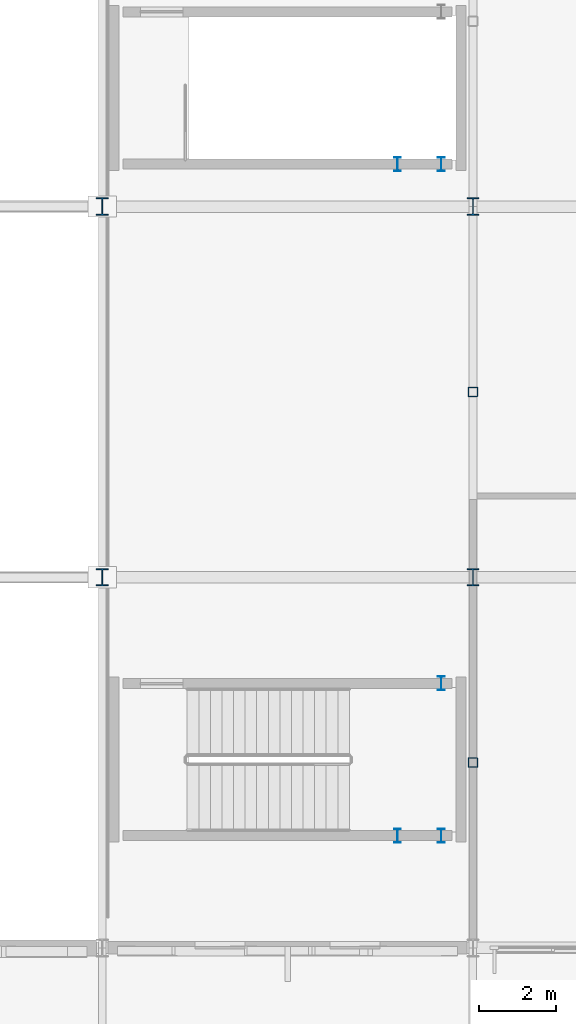
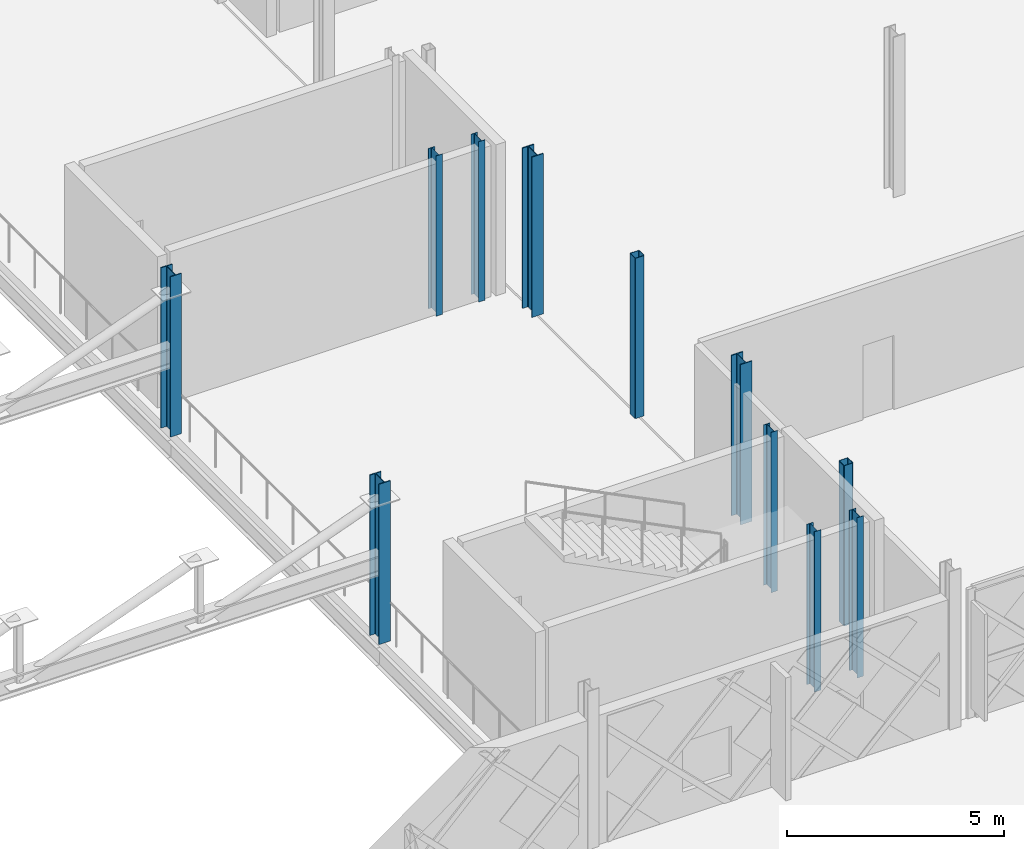
# One storey, part 2 of 101: 11 columns.
"""IFC4 building model written with IfcOpenShell, lengths in metres."""

import ifcopenshell
import ifcopenshell.guid

model = None  # the IFC model being written
_history = None  # IfcOwnerHistory: only IFC2X3 demands one
_inside = {}  # id of a spatial element -> (the spatial element, [elements in it])
_under = {}  # id of a project, library or spatial element -> (it, [spatial elements below it])
_declared = {}  # id of a project -> (the project, [libraries it declares])
_typed = {}  # id of a type object -> (the type object, [elements of that type])
_made_of = {}  # id of a material, layer set ... -> (it, [elements and type objects made of it])


def new_model(schema):
    """Start an empty IFC model of exactly this schema.

    Asked for "IFC4X3", IfcOpenShell would pick the latest addendum, in which some entities
    have other attributes; the version numbers below select the first issue.
    IFC2X3 requires an IfcOwnerHistory on every rooted entity: one is made here for all.
    """
    global model, _history
    if schema == "IFC4X3":
        model = ifcopenshell.file(schema_version=(4, 3, 0, 0))
    else:
        model = ifcopenshell.file(schema=schema)
    _inside.clear()
    _under.clear()
    _declared.clear()
    _typed.clear()
    _made_of.clear()
    _history = None
    if model.schema == "IFC2X3":
        org = make("IfcOrganization", Name="unknown")
        user = make(
            "IfcPersonAndOrganization",
            ThePerson=make("IfcPerson", FamilyName="unknown"),
            TheOrganization=org,
        )
        app = make(
            "IfcApplication",
            ApplicationDeveloper=org,
            Version="unknown",
            ApplicationFullName="unknown",
            ApplicationIdentifier="unknown",
        )
        _history = make(
            "IfcOwnerHistory",
            OwningUser=user,
            OwningApplication=app,
            ChangeAction="ADDED",
            CreationDate=0,
        )
    return model


def make(cls, **values):
    """One entity of the class cls with the attributes given. An attribute that is None is left unset."""
    return model.create_entity(
        cls, **{name: value for name, value in values.items() if value is not None}
    )


def rooted(cls, **values):
    """An entity with a GlobalId (a new one), such as an element, a storey or a relation."""
    return make(cls, GlobalId=ifcopenshell.guid.new(), OwnerHistory=_history, **values)


def si_unit(unit_type, name, prefix=None):
    """IfcSIUnit, for example si_unit("LENGTHUNIT", "METRE", prefix="MILLI")."""
    return make("IfcSIUnit", UnitType=unit_type, Prefix=prefix, Name=name)


def assignment(units):
    """IfcUnitAssignment: the units of a project."""
    return None if units is None else make("IfcUnitAssignment", Units=units)


def point(xyz):
    """IfcCartesianPoint."""
    return None if xyz is None else make("IfcCartesianPoint", Coordinates=xyz)


def direction(xyz):
    """IfcDirection."""
    return None if xyz is None else make("IfcDirection", DirectionRatios=xyz)


def frame(location, z_axis=None, x_axis=None):
    """IfcAxis2Placement3D, a coordinate frame: its origin and axes. An axis left out is left unset."""
    return make(
        "IfcAxis2Placement3D",
        Location=point(location),
        Axis=direction(z_axis),
        RefDirection=direction(x_axis),
    )


def frame_2d(location, x_axis=None):
    """IfcAxis2Placement2D, a coordinate frame in the plane: its origin and x axis."""
    return make(
        "IfcAxis2Placement2D", Location=point(location), RefDirection=direction(x_axis)
    )


def origin():
    """The frame at (0, 0, 0) with its axes left unset."""
    return frame((0.0, 0.0, 0.0))


def origin_2d():
    """The frame at (0, 0) in the plane with its x axis left unset."""
    return frame_2d((0.0, 0.0))


def place(relative_to, where):
    """IfcLocalPlacement: puts the frame where relative to a parent placement (None: the world)."""
    return make(
        "IfcLocalPlacement", PlacementRelTo=relative_to, RelativePlacement=where
    )


def context(
    kind, dimensions, precision=None, world=None, true_north=None, identifier=None
):
    """IfcGeometricRepresentationContext, for example the 3D "Model" context."""
    return make(
        "IfcGeometricRepresentationContext",
        ContextIdentifier=identifier,
        ContextType=kind,
        CoordinateSpaceDimension=dimensions,
        Precision=precision,
        WorldCoordinateSystem=world,
        TrueNorth=true_north,
    )


def subcontext(parent, identifier, kind, view, scale=None):
    """IfcGeometricRepresentationSubContext, for example "Body" below "Model"."""
    return make(
        "IfcGeometricRepresentationSubContext",
        ContextIdentifier=identifier,
        ContextType=kind,
        ParentContext=parent,
        TargetScale=scale,
        TargetView=view,
    )


def project(units=None, contexts=None):
    """IfcProject with its units and contexts."""
    return rooted(
        "IfcProject",
        Name="project",
        RepresentationContexts=contexts,
        UnitsInContext=assignment(units),
    )


def spatial(cls, under=None, at=None, **own):
    """A site, building, storey or space (cls), placed at a placement, below another one or the project."""
    s = rooted(cls, ObjectPlacement=at, **own)
    if under is not None:
        _under.setdefault(under.id(), (under, []))[1].append(s)
    return s


def profile(cls, at=None, kind="AREA", **sizes):
    """A parametric profile (cls). Its sizes go by their IFC names, for example OverallWidth=200.0."""
    return make(cls, ProfileType=kind, Position=at, **sizes)


def hollow_rectangle(**sizes):
    """IfcRectangleHollowProfileDef."""
    return profile("IfcRectangleHollowProfileDef", **sizes)


def i_section(**sizes):
    """IfcIShapeProfileDef."""
    return profile("IfcIShapeProfileDef", **sizes)


def extrude(swept, where, along, depth):
    """IfcExtrudedAreaSolid: the profile swept, set in the frame where, extruded along a direction by depth."""
    return make(
        "IfcExtrudedAreaSolid",
        SweptArea=swept,
        Position=where,
        ExtrudedDirection=direction(along),
        Depth=depth,
    )


def shape(context_of_items, identifier, shape_type, items):
    """IfcShapeRepresentation: the items that make up one representation, for example the "Body"."""
    return make(
        "IfcShapeRepresentation",
        ContextOfItems=context_of_items,
        RepresentationIdentifier=identifier,
        RepresentationType=shape_type,
        Items=items,
    )


def material(Name=None, Category=None):
    """IfcMaterial."""
    return make("IfcMaterial", Name=Name, Category=Category)


def material_profile(
    of_material, cross_section, Name=None, Category=None, Priority=None
):
    """IfcMaterialProfile: a cross section and its material."""
    return make(
        "IfcMaterialProfile",
        Name=Name,
        Material=of_material,
        Profile=cross_section,
        Priority=Priority,
        Category=Category,
    )


def profile_set(profiles, Name=None, composite=None):
    """IfcMaterialProfileSet."""
    return make(
        "IfcMaterialProfileSet",
        Name=Name,
        MaterialProfiles=profiles,
        CompositeProfile=composite,
    )


def made_of(thing, what):
    """Note that an element or type object is made of a material, layer set ...; save() writes the relation."""
    if what is not None:
        _made_of.setdefault(what.id(), (what, []))[1].append(thing)
    return thing


def type_object(cls, material=None, **own):
    """A type object (cls), such as IfcWallType, which elements share."""
    return made_of(rooted(cls, **own), material)


def element(
    cls,
    number,
    at=None,
    inside=None,
    cuts=None,
    type_object=None,
    material=None,
    context=None,
    identifier="Body",
    shape_type=None,
    held_by="IfcProductDefinitionShape",
    body=None,
    shapes=None,
    **own,
):
    """One element of the class cls, such as IfcWall. Its Tag is "e" and its number.

    at: its placement. inside: the storey or other place that contains it. cuts: it is an
    opening in that element (IfcRelVoidsElement). A single representation is given by context,
    identifier, shape_type and body (its items); several are given by shapes. held_by: the class
    of the entity that holds the representations. save() writes the other relations.
    """
    e = rooted(cls, Tag="e%d" % number, ObjectPlacement=at, **own)
    if body is not None:
        shapes = [shape(context, identifier, shape_type, body)]
    if shapes is not None:
        e.Representation = make(held_by, Representations=shapes)
    if inside is not None:
        _inside.setdefault(inside.id(), (inside, []))[1].append(e)
    if cuts is not None:
        rooted(
            "IfcRelVoidsElement", RelatingBuildingElement=cuts, RelatedOpeningElement=e
        )
    if type_object is not None:
        _typed.setdefault(type_object.id(), (type_object, []))[1].append(e)
    return made_of(e, material)


def aggregate(whole, parts):
    """IfcRelAggregates: a whole, such as a stair, and the parts it consists of."""
    return rooted("IfcRelAggregates", RelatingObject=whole, RelatedObjects=parts)


def save(model, path):
    """Write the relations noted so far, then the file.

    IfcRelAggregates (storeys below a building ...), IfcRelContainedInSpatialStructure (elements
    in a storey), IfcRelDefinesByType, IfcRelAssociatesMaterial and IfcRelDeclares: one each for
    every whole, place, type object, material and project.
    """
    for whole, parts in _under.values():
        aggregate(whole, parts)
    for where, things in _inside.values():
        rooted(
            "IfcRelContainedInSpatialStructure",
            RelatedElements=things,
            RelatingStructure=where,
        )
    for kind, things in _typed.values():
        rooted("IfcRelDefinesByType", RelatedObjects=things, RelatingType=kind)
    for what, things in _made_of.values():
        rooted("IfcRelAssociatesMaterial", RelatedObjects=things, RelatingMaterial=what)
    for by, libraries in _declared.values():
        rooted("IfcRelDeclares", RelatingContext=by, RelatedDefinitions=libraries)
    model.write(path)


model = new_model("IFC4")

# Units and contexts
model_context = context("Model", 3, precision=1e-05, world=origin(), true_north=direction((0.0, 1.0)))
body_context = subcontext(model_context, "Body", "Model", "MODEL_VIEW")
ifc_project = project(units=[si_unit("LENGTHUNIT", "METRE"), si_unit("AREAUNIT", "SQUARE_METRE"), si_unit("VOLUMEUNIT", "CUBIC_METRE"), si_unit("PLANEANGLEUNIT", "RADIAN"), si_unit("MASSUNIT", "GRAM", prefix="KILO")], contexts=[model_context])

# Site, building, storey
site_placement = place(None, origin())
site = spatial("IfcSite", under=ifc_project, at=site_placement, CompositionType="ELEMENT")
building_placement = place(site_placement, origin())
building = spatial("IfcBuilding", under=site, at=building_placement, Name="Zevrakil Square Congress Hotel", CompositionType="ELEMENT")
storey_placement = place(building_placement, frame((0.0, 0.0, 5.39990234375)))
storey = spatial("IfcBuildingStorey", under=building, at=storey_placement, Name="L02", CompositionType="ELEMENT", Elevation=5.39990234375)

# Columns
ifc_material_1 = material(Name="Steel S355", Category="steel")
ifc_material_profile_1 = material_profile(ifc_material_1, i_section(OverallWidth=0.300048828125, OverallDepth=0.449951171875, WebThickness=0.013916015625, FlangeThickness=0.02587890625, FilletRadius=0.027099609375, at=origin_2d()), Name="HEB 450")
ifc_profile_set_1 = profile_set([ifc_material_profile_1], Name="Steel S355")
column_type_1 = type_object("IfcColumnType", Name="COL-HEB450", PredefinedType="COLUMN", material=ifc_profile_set_1)
for number, where, z_axis, x_axis, name in (
    (1, (45.60009765625, 16.800048828125, 0.0), (0.0, 0.0, 1.0), (1.0, 0.0, 0.0), "L02 column C-069"),
    (2, (45.60009765625, 26.39990234375, 0.0), (0.0, 0.0, 1.0), (1.0, 0.0, 0.0), "L02 column C-070"),
    (3, (55.199951171875, 16.800048828125, 0.0), (0.0, 0.0, 1.0), (1.0, 0.0, 0.0), "L02 column C-084"),
    (4, (55.199951171875, 26.39990234375, 0.0), (0.0, 0.0, 1.0), (1.0, 0.0, 0.0), "L02 column C-086"),
):
    element("IfcColumn", number, at=place(storey_placement, frame(where, z_axis=z_axis, x_axis=x_axis)), inside=storey, type_object=column_type_1, Name=name, PredefinedType="COLUMN", context=body_context, shape_type="SweptSolid", body=[
        extrude(i_section(OverallWidth=0.300048828125, OverallDepth=0.449951171875, WebThickness=0.013916015625, FlangeThickness=0.02587890625, FilletRadius=0.027099609375, at=origin_2d()), origin(), (0.0, 0.0, 1.0), 4.5),
    ])
ifc_material_2 = material(Name="Steel S355", Category="steel")
ifc_material_profile_2 = material_profile(ifc_material_2, i_section(OverallWidth=0.169921875, OverallDepth=0.360107421875, WebThickness=0.008056640625, FlangeThickness=0.0126953125, FilletRadius=0.01806640625, at=origin_2d()), Name="IPE 360")
ifc_profile_set_2 = profile_set([ifc_material_profile_2], Name="Steel S355")
column_type_2 = type_object("IfcColumnType", Name="COL-PILASTER-SHS180", PredefinedType="PILASTER", material=ifc_profile_set_2)
for number, where, z_axis, x_axis, name in (
    (5, (53.25, 10.10009765625, 0.0), (0.0, 0.0, 1.0), (1.0, 0.0, 0.0), "L02 ST12 stair shaft post 1"),
    (6, (54.3798828125, 10.10009765625, 0.0), (0.0, 0.0, 1.0), (1.0, 0.0, 0.0), "L02 ST12 stair shaft post 2"),
    (7, (54.3798828125, 14.050048828125, 0.0), (0.0, 0.0, 1.0), (1.0, 0.0, 0.0), "L02 ST12 stair shaft post 3"),
    (8, (53.25, 27.5, 0.0), (0.0, 0.0, 1.0), (1.0, 0.0, 0.0), "L02 ST13 stair shaft post 1"),
    (9, (54.3798828125, 27.5, 0.0), (0.0, 0.0, 1.0), (1.0, 0.0, 0.0), "L02 ST13 stair shaft post 2"),
):
    element("IfcColumn", number, at=place(storey_placement, frame(where, z_axis=z_axis, x_axis=x_axis)), inside=storey, type_object=column_type_2, Name=name, PredefinedType="PILASTER", context=body_context, shape_type="SweptSolid", body=[
        extrude(i_section(OverallWidth=0.169921875, OverallDepth=0.360107421875, WebThickness=0.008056640625, FlangeThickness=0.0126953125, FilletRadius=0.01806640625, at=origin_2d()), origin(), (0.0, 0.0, 1.0), 4.5),
    ])
ifc_material_3 = material(Name="Steel S355", Category="steel")
ifc_material_profile_3 = material_profile(ifc_material_3, hollow_rectangle(XDim=0.25, YDim=0.25, WallThickness=0.012451171875, InnerFilletRadius=0.012451171875, OuterFilletRadius=0.02490234375, at=origin_2d()), Name="SHS 250x250x12.5")
ifc_profile_set_3 = profile_set([ifc_material_profile_3], Name="Steel S355")
column_type_3 = type_object("IfcColumnType", Name="COL-PILASTER-SHS250", PredefinedType="PILASTER", material=ifc_profile_set_3)
for number, where, z_axis, x_axis, name in (
    (10, (55.199951171875, 12.0, 0.0), (0.0, 0.0, 1.0), (1.0, 0.0, 0.0), "L02 pilaster PL-01"),
    (11, (55.199951171875, 21.60009765625, 0.0), (0.0, 0.0, 1.0), (1.0, 0.0, 0.0), "L02 pilaster PL-02"),
):
    element("IfcColumn", number, at=place(storey_placement, frame(where, z_axis=z_axis, x_axis=x_axis)), inside=storey, type_object=column_type_3, Name=name, PredefinedType="PILASTER", context=body_context, shape_type="SweptSolid", body=[
        extrude(hollow_rectangle(XDim=0.25, YDim=0.25, WallThickness=0.012451171875, InnerFilletRadius=0.012451171875, OuterFilletRadius=0.02490234375, at=origin_2d()), origin(), (0.0, 0.0, 1.0), 4.5),
    ])

save(model, "model.ifc")
